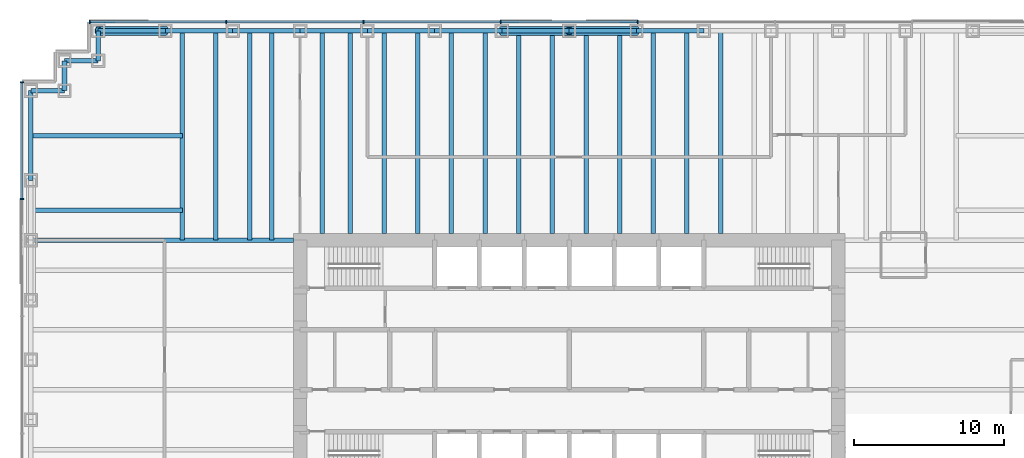
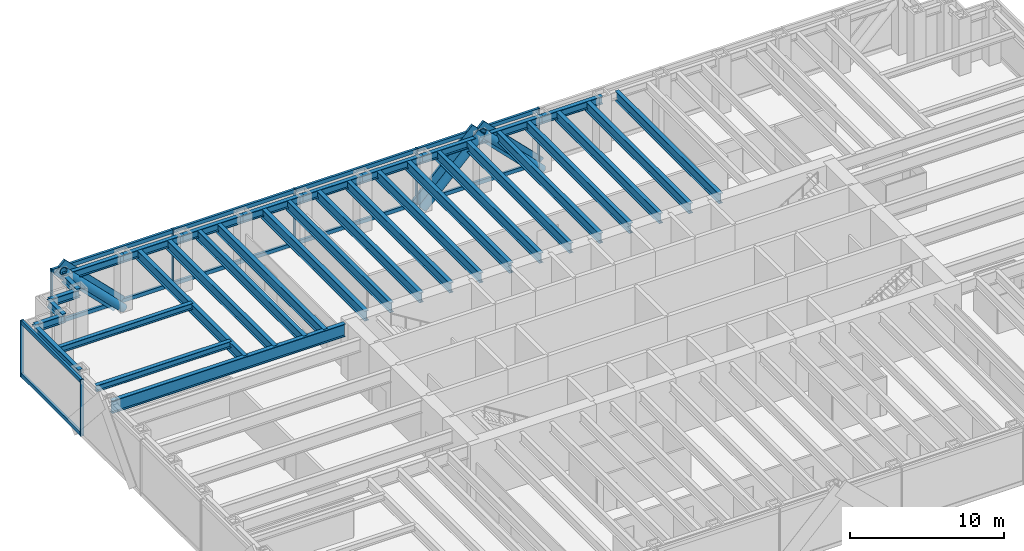
# One storey, part 5 of 13: 34 beams, 23 members, 2 elements without a shape of their own.
"""IFC4 building model written with IfcOpenShell, lengths in metres."""

from ifc_helpers import new_model, si_unit, direction, frame, origin, origin_2d, place, context, subcontext, project, spatial, rectangle, hollow_circle, i_section, extrude, material, material_profile, profile_set, type_object, element, aggregate, save


model = new_model("IFC4")

# Units and contexts
model_context = context("Model", 3, precision=1e-05, world=origin(), true_north=direction((0.0, 1.0)))
body_context = subcontext(model_context, "Body", "Model", "MODEL_VIEW")
ifc_project = project(units=[si_unit("LENGTHUNIT", "METRE"), si_unit("AREAUNIT", "SQUARE_METRE"), si_unit("VOLUMEUNIT", "CUBIC_METRE"), si_unit("PLANEANGLEUNIT", "RADIAN"), si_unit("MASSUNIT", "GRAM", prefix="KILO")], contexts=[model_context])

# Site, building, storey
site_placement = place(None, origin())
site = spatial("IfcSite", under=ifc_project, at=site_placement, CompositionType="ELEMENT")
building_placement = place(site_placement, origin())
building = spatial("IfcBuilding", under=site, at=building_placement, Name="Rheinbord Bourse Tower", CompositionType="ELEMENT")
storey_placement = place(building_placement, frame((0.0, 0.0, 27.5)))
storey = spatial("IfcBuildingStorey", under=building, at=storey_placement, Name="L05", CompositionType="ELEMENT", Elevation=27.5)

# Curtain wall, members
ifc_material_1 = material(Name="Dark glass and black aluminium", Category="aluminium")
curtain_wall_type = type_object("IfcCurtainWallType", Name="CW1 DARK GLASS CURTAIN WALL", PredefinedType="USERDEFINED", material=ifc_material_1)
curtain_wall_1_placement = place(storey_placement, origin())
curtain_wall_1 = element("IfcCurtainWall", 1, at=curtain_wall_1_placement, inside=storey, type_object=curtain_wall_type, Name="Curtain wall CW1 N L05", ObjectType="UNITISED CURTAIN WALL", PredefinedType="USERDEFINED")
ifc_material_2 = material(Name="Black anodised aluminium", Category="aluminium")
ifc_material_profile_1 = material_profile(ifc_material_2, rectangle(XDim=0.179931640625, YDim=1.2099609375, at=origin_2d()), Name="CW1 DIAGONAL MULLION 1210x180")
ifc_profile_set_1 = profile_set([ifc_material_profile_1], Name="Black anodised aluminium")
member_type_1 = type_object("IfcMemberType", Name="CW1 BLACK DIAGONAL MULLION", PredefinedType="USERDEFINED", material=ifc_profile_set_1)
member_1_placement = place(storey_placement, frame((31.5, 46.60009765625, 0.0), z_axis=(0.707106781187, 0.0, 0.707106781187), x_axis=(0.0, 1.0, 0.0)))
member_1 = element("IfcMember", 2, at=member_1_placement, type_object=member_type_1, Name="CW1 diagonal mullion a", ObjectType="DIAGONAL MULLION", PredefinedType="USERDEFINED", context=body_context, shape_type="SweptSolid", body=[
    extrude(rectangle(XDim=0.179931640625, YDim=1.2099609375, at=origin_2d()), origin(), (0.0, 0.0, 1.0), 6.364013671875),
])
member_2_placement = place(storey_placement, frame((40.5, 46.60009765625, 0.0), z_axis=(-0.707106781187, 0.0, 0.707106781187), x_axis=(0.0, -1.0, 0.0)))
member_2 = element("IfcMember", 3, at=member_2_placement, type_object=member_type_1, Name="CW1 diagonal mullion b", ObjectType="DIAGONAL MULLION", PredefinedType="USERDEFINED", context=body_context, shape_type="SweptSolid", body=[
    extrude(rectangle(XDim=0.179931640625, YDim=1.2099609375, at=origin_2d()), origin(), (0.0, 0.0, 1.0), 6.364013671875),
])
member_3_placement = place(storey_placement, frame((9.0, 46.60009765625, 0.0), z_axis=(-0.707106781187, 0.0, 0.707106781187), x_axis=(0.0, -1.0, 0.0)))
member_3 = element("IfcMember", 4, at=member_3_placement, type_object=member_type_1, Name="CW1 diagonal mullion d", ObjectType="DIAGONAL MULLION", PredefinedType="USERDEFINED", context=body_context, shape_type="SweptSolid", body=[
    extrude(rectangle(XDim=0.179931640625, YDim=1.2099609375, at=origin_2d()), origin(), (0.0, 0.0, 1.0), 6.364013671875),
])
ifc_material_3 = material(Name="Black anodised aluminium", Category="aluminium")
ifc_material_profile_2 = material_profile(ifc_material_3, rectangle(XDim=0.25, YDim=0.080078125, at=origin_2d()), Name="CW1 MULLION 80x250")
ifc_profile_set_2 = profile_set([ifc_material_profile_2], Name="Black anodised aluminium")
member_type_2 = type_object("IfcMemberType", Name="CW1 BLACK MULLION", PredefinedType="MULLION", material=ifc_profile_set_2)
member_4_placement = place(storey_placement, frame((40.585693359375, 46.60009765625, 0.0), z_axis=(0.0, 0.0, 1.0), x_axis=(0.0, -1.0, 0.0)))
member_4 = element("IfcMember", 5, at=member_4_placement, type_object=member_type_2, Name="CW1 mullion 4", PredefinedType="MULLION", context=body_context, shape_type="SweptSolid", body=[
    extrude(rectangle(XDim=0.25, YDim=0.080078125, at=origin_2d()), origin(), (0.0, 0.0, 1.0), 4.5),
])
member_5_placement = place(storey_placement, frame((31.414306640625, 46.60009765625, 0.0), z_axis=(0.0, 0.0, 1.0), x_axis=(0.0, -1.0, 0.0)))
member_5 = element("IfcMember", 6, at=member_5_placement, type_object=member_type_2, Name="CW1 mullion 5", PredefinedType="MULLION", context=body_context, shape_type="SweptSolid", body=[
    extrude(rectangle(XDim=0.25, YDim=0.080078125, at=origin_2d()), origin(), (0.0, 0.0, 1.0), 4.5),
])
member_6_placement = place(storey_placement, frame((22.242919921875, 46.60009765625, 0.0), z_axis=(0.0, 0.0, 1.0), x_axis=(0.0, -1.0, 0.0)))
member_6 = element("IfcMember", 7, at=member_6_placement, type_object=member_type_2, Name="CW1 mullion 6", PredefinedType="MULLION", context=body_context, shape_type="SweptSolid", body=[
    extrude(rectangle(XDim=0.25, YDim=0.080078125, at=origin_2d()), origin(), (0.0, 0.0, 1.0), 4.5),
])
member_7_placement = place(storey_placement, frame((13.071533203125, 46.60009765625, 0.0), z_axis=(0.0, 0.0, 1.0), x_axis=(0.0, -1.0, 0.0)))
member_7 = element("IfcMember", 8, at=member_7_placement, type_object=member_type_2, Name="CW1 mullion 7", PredefinedType="MULLION", context=body_context, shape_type="SweptSolid", body=[
    extrude(rectangle(XDim=0.25, YDim=0.080078125, at=origin_2d()), origin(), (0.0, 0.0, 1.0), 4.5),
])
member_8_placement = place(storey_placement, frame((3.93994140625, 46.60009765625, 0.0), z_axis=(0.0, 0.0, 1.0), x_axis=(0.0, -1.0, 0.0)))
member_8 = element("IfcMember", 9, at=member_8_placement, type_object=member_type_2, Name="CW1 mullion 8", PredefinedType="MULLION", context=body_context, shape_type="SweptSolid", body=[
    extrude(rectangle(XDim=0.25, YDim=0.080078125, at=origin_2d()), origin(), (0.0, 0.0, 1.0), 4.5),
])

curtain_wall_2_placement = place(storey_placement, origin())
curtain_wall_2 = element("IfcCurtainWall", 10, at=curtain_wall_2_placement, inside=storey, type_object=curtain_wall_type, Name="Curtain wall CW1 W L05", ObjectType="UNITISED CURTAIN WALL", PredefinedType="USERDEFINED")
member_9_placement = place(storey_placement, frame((-0.60009765625, 42.56005859375, 0.0), z_axis=(0.0, 0.0, 1.0), x_axis=(1.0, 0.0, 0.0)))
member_9 = element("IfcMember", 11, at=member_9_placement, type_object=member_type_2, Name="CW1 mullion 1", PredefinedType="MULLION", context=body_context, shape_type="SweptSolid", body=[
    extrude(rectangle(XDim=0.25, YDim=0.080078125, at=origin_2d()), origin(), (0.0, 0.0, 1.0), 4.5),
])
member_10_placement = place(storey_placement, frame((-0.60009765625, 34.760009765625, 0.0), z_axis=(0.0, 0.0, 1.0), x_axis=(1.0, 0.0, 0.0)))
member_10 = element("IfcMember", 12, at=member_10_placement, type_object=member_type_2, Name="CW1 mullion 2", PredefinedType="MULLION", context=body_context, shape_type="SweptSolid", body=[
    extrude(rectangle(XDim=0.25, YDim=0.080078125, at=origin_2d()), origin(), (0.0, 0.0, 1.0), 4.5),
])

# Member
ifc_material_4 = material(Name="Black anodised aluminium", Category="aluminium")
ifc_material_profile_3 = material_profile(ifc_material_4, rectangle(XDim=0.179931640625, YDim=0.300048828125, at=origin_2d()), Name="CW1 TRANSOM 300x180")
ifc_profile_set_3 = profile_set([ifc_material_profile_3], Name="Black anodised aluminium")
member_type_3 = type_object("IfcMemberType", Name="CW1 BLACK TRANSOM", PredefinedType="USERDEFINED", material=ifc_profile_set_3)
member_11_placement = place(storey_placement, frame((40.545654296875, 46.60009765625, 0.14990234375), z_axis=(-1.0, 0.0, 0.0), x_axis=(0.0, -1.0, 0.0)))
member_11 = element("IfcMember", 13, at=member_11_placement, type_object=member_type_3, Name="CW1 transom 4.1", ObjectType="TRANSOM", PredefinedType="USERDEFINED", context=body_context, shape_type="SweptSolid", body=[
    extrude(rectangle(XDim=0.179931640625, YDim=0.300048828125, at=origin_2d()), origin(), (0.0, 0.0, 1.0), 9.09130859375),
])

member_12_placement = place(storey_placement, frame((40.545654296875, 46.60009765625, 4.35009765625), z_axis=(-1.0, 0.0, 0.0), x_axis=(0.0, -1.0, 0.0)))
member_12 = element("IfcMember", 14, at=member_12_placement, type_object=member_type_3, Name="CW1 transom 4.2", ObjectType="TRANSOM", PredefinedType="USERDEFINED", context=body_context, shape_type="SweptSolid", body=[
    extrude(rectangle(XDim=0.179931640625, YDim=0.300048828125, at=origin_2d()), origin(), (0.0, 0.0, 1.0), 9.09130859375),
])

member_13_placement = place(storey_placement, frame((31.374267578125, 46.60009765625, 0.14990234375), z_axis=(-1.0, 0.0, 0.0), x_axis=(0.0, -1.0, 0.0)))
member_13 = element("IfcMember", 15, at=member_13_placement, type_object=member_type_3, Name="CW1 transom 5.1", ObjectType="TRANSOM", PredefinedType="USERDEFINED", context=body_context, shape_type="SweptSolid", body=[
    extrude(rectangle(XDim=0.179931640625, YDim=0.300048828125, at=origin_2d()), origin(), (0.0, 0.0, 1.0), 9.09130859375),
])

member_14_placement = place(storey_placement, frame((31.374267578125, 46.60009765625, 4.35009765625), z_axis=(-1.0, 0.0, 0.0), x_axis=(0.0, -1.0, 0.0)))
member_14 = element("IfcMember", 16, at=member_14_placement, type_object=member_type_3, Name="CW1 transom 5.2", ObjectType="TRANSOM", PredefinedType="USERDEFINED", context=body_context, shape_type="SweptSolid", body=[
    extrude(rectangle(XDim=0.179931640625, YDim=0.300048828125, at=origin_2d()), origin(), (0.0, 0.0, 1.0), 9.09130859375),
])

member_15_placement = place(storey_placement, frame((22.202880859375, 46.60009765625, 0.14990234375), z_axis=(-1.0, 0.0, 0.0), x_axis=(0.0, -1.0, 0.0)))
member_15 = element("IfcMember", 17, at=member_15_placement, type_object=member_type_3, Name="CW1 transom 6.1", ObjectType="TRANSOM", PredefinedType="USERDEFINED", context=body_context, shape_type="SweptSolid", body=[
    extrude(rectangle(XDim=0.179931640625, YDim=0.300048828125, at=origin_2d()), origin(), (0.0, 0.0, 1.0), 9.091552734375),
])

member_16_placement = place(storey_placement, frame((22.202880859375, 46.60009765625, 4.35009765625), z_axis=(-1.0, 0.0, 0.0), x_axis=(0.0, -1.0, 0.0)))
member_16 = element("IfcMember", 18, at=member_16_placement, type_object=member_type_3, Name="CW1 transom 6.2", ObjectType="TRANSOM", PredefinedType="USERDEFINED", context=body_context, shape_type="SweptSolid", body=[
    extrude(rectangle(XDim=0.179931640625, YDim=0.300048828125, at=origin_2d()), origin(), (0.0, 0.0, 1.0), 9.091552734375),
])

member_17_placement = place(storey_placement, frame((13.031494140625, 46.60009765625, 0.14990234375), z_axis=(-1.0, 0.0, 0.0), x_axis=(0.0, -1.0, 0.0)))
member_17 = element("IfcMember", 19, at=member_17_placement, type_object=member_type_3, Name="CW1 transom 7.1", ObjectType="TRANSOM", PredefinedType="USERDEFINED", context=body_context, shape_type="SweptSolid", body=[
    extrude(rectangle(XDim=0.179931640625, YDim=0.300048828125, at=origin_2d()), origin(), (0.0, 0.0, 1.0), 9.051513671875),
])

member_18_placement = place(storey_placement, frame((13.031494140625, 46.60009765625, 4.35009765625), z_axis=(-1.0, 0.0, 0.0), x_axis=(0.0, -1.0, 0.0)))
member_18 = element("IfcMember", 20, at=member_18_placement, type_object=member_type_3, Name="CW1 transom 7.2", ObjectType="TRANSOM", PredefinedType="USERDEFINED", context=body_context, shape_type="SweptSolid", body=[
    extrude(rectangle(XDim=0.179931640625, YDim=0.300048828125, at=origin_2d()), origin(), (0.0, 0.0, 1.0), 9.051513671875),
])

aggregate(curtain_wall_1, [member_4, member_5, member_6, member_7, member_8, member_11, member_12, member_13, member_14, member_15, member_16, member_17, member_18, member_1, member_2, member_3])

member_19_placement = place(storey_placement, frame((-0.60009765625, 42.52001953125, 0.14990234375), z_axis=(0.0, -1.0, 0.0), x_axis=(1.0, 0.0, 0.0)))
member_19 = element("IfcMember", 21, at=member_19_placement, type_object=member_type_3, Name="CW1 transom 1.1", ObjectType="TRANSOM", PredefinedType="USERDEFINED", context=body_context, shape_type="SweptSolid", body=[
    extrude(rectangle(XDim=0.179931640625, YDim=0.300048828125, at=origin_2d()), origin(), (0.0, 0.0, 1.0), 7.719970703125),
])

member_20_placement = place(storey_placement, frame((-0.60009765625, 42.52001953125, 4.35009765625), z_axis=(0.0, -1.0, 0.0), x_axis=(1.0, 0.0, 0.0)))
member_20 = element("IfcMember", 22, at=member_20_placement, type_object=member_type_3, Name="CW1 transom 1.2", ObjectType="TRANSOM", PredefinedType="USERDEFINED", context=body_context, shape_type="SweptSolid", body=[
    extrude(rectangle(XDim=0.179931640625, YDim=0.300048828125, at=origin_2d()), origin(), (0.0, 0.0, 1.0), 7.719970703125),
])

aggregate(curtain_wall_2, [member_9, member_10, member_19, member_20])

# Beams
ifc_material_5 = material(Name="Steel S460", Category="steel")
ifc_material_profile_4 = material_profile(ifc_material_5, i_section(OverallWidth=0.300048828125, OverallDepth=0.800048828125, WebThickness=0.017578125, FlangeThickness=0.032958984375, at=origin_2d()), Name="HEB 800")
ifc_profile_set_4 = profile_set([ifc_material_profile_4], Name="Steel S460")
beam_type_1 = type_object("IfcBeamType", Name="FLOOR BEAM HEB 800", PredefinedType="BEAM", material=ifc_profile_set_4)
for number, where, z_axis, x_axis, name in (
    (23, (10.125, 46.0, 3.919921875), (0.0, -1.0, 0.0), (1.0, 0.0, 0.0), "Floor beam N-9a L06"),
    (24, (12.375, 46.0, 3.919921875), (0.0, -1.0, 0.0), (1.0, 0.0, 0.0), "Floor beam N-9b L06"),
    (25, (14.625, 46.0, 3.919921875), (0.0, -1.0, 0.0), (1.0, 0.0, 0.0), "Floor beam N-13.5a L06"),
    (26, (16.125, 46.0, 3.919921875), (0.0, -1.0, 0.0), (1.0, 0.0, 0.0), "Floor beam N-13.5b L06"),
):
    element("IfcBeam", number, at=place(storey_placement, frame(where, z_axis=z_axis, x_axis=x_axis)), inside=storey, type_object=beam_type_1, Name=name, PredefinedType="BEAM", context=body_context, shape_type="SweptSolid", body=[
        extrude(i_section(OverallWidth=0.300048828125, OverallDepth=0.800048828125, WebThickness=0.017578125, FlangeThickness=0.032958984375, at=origin_2d()), origin(), (0.0, 0.0, 1.0), 14.0),
    ])
for number, where, z_axis, x_axis, name in (
    (27, (19.5, 46.0, 3.919921875), (0.0, -1.0, 0.0), (1.0, 0.0, 0.0), "Floor beam N-18a L06"),
    (28, (21.375, 46.0, 3.919921875), (0.0, -1.0, 0.0), (1.0, 0.0, 0.0), "Floor beam N-18b L06"),
    (29, (23.625, 46.0, 3.919921875), (0.0, -1.0, 0.0), (1.0, 0.0, 0.0), "Floor beam N-22.5a L06"),
    (30, (25.875, 46.0, 3.919921875), (0.0, -1.0, 0.0), (1.0, 0.0, 0.0), "Floor beam N-22.5b L06"),
    (31, (28.125, 46.0, 3.919921875), (0.0, -1.0, 0.0), (1.0, 0.0, 0.0), "Floor beam N-27a L06"),
    (32, (30.375, 46.0, 3.919921875), (0.0, -1.0, 0.0), (1.0, 0.0, 0.0), "Floor beam N-27b L06"),
    (33, (32.625, 46.0, 3.919921875), (0.0, -1.0, 0.0), (1.0, 0.0, 0.0), "Floor beam N-31.5a L06"),
    (34, (34.875, 46.0, 3.919921875), (0.0, -1.0, 0.0), (1.0, 0.0, 0.0), "Floor beam N-31.5b L06"),
    (35, (37.125, 46.0, 3.919921875), (0.0, -1.0, 0.0), (1.0, 0.0, 0.0), "Floor beam N-36a L06"),
    (36, (39.375, 46.0, 3.919921875), (0.0, -1.0, 0.0), (1.0, 0.0, 0.0), "Floor beam N-36b L06"),
    (37, (41.625, 46.0, 3.919921875), (0.0, -1.0, 0.0), (1.0, 0.0, 0.0), "Floor beam N-40.5a L06"),
    (38, (43.875, 46.0, 3.919921875), (0.0, -1.0, 0.0), (1.0, 0.0, 0.0), "Floor beam N-40.5b L06"),
    (39, (46.125, 46.0, 3.919921875), (0.0, -1.0, 0.0), (1.0, 0.0, 0.0), "Floor beam N-45a L06"),
):
    element("IfcBeam", number, at=place(storey_placement, frame(where, z_axis=z_axis, x_axis=x_axis)), inside=storey, type_object=beam_type_1, Name=name, PredefinedType="BEAM", context=body_context, shape_type="SweptSolid", body=[
        extrude(i_section(OverallWidth=0.300048828125, OverallDepth=0.800048828125, WebThickness=0.017578125, FlangeThickness=0.032958984375, at=origin_2d()), origin(), (0.0, 0.0, 1.0), 13.550048828125),
    ])
ifc_material_6 = material(Name="Steel S460", Category="steel")
ifc_material_profile_5 = material_profile(ifc_material_6, i_section(OverallWidth=0.302001953125, OverallDepth=1.008056640625, WebThickness=0.02099609375, FlangeThickness=0.0400390625, at=origin_2d()), Name="HEM 1000")
ifc_profile_set_5 = profile_set([ifc_material_profile_5], Name="Steel S460")
beam_type_2 = type_object("IfcBeamType", Name="GIRDER HEM 1000", PredefinedType="BEAM", material=ifc_profile_set_5)
beam_1_placement = place(storey_placement, frame((0.0, 32.0, 3.81591796875), z_axis=(1.0, 0.0, 0.0), x_axis=(0.0, 1.0, 0.0)))
element("IfcBeam", 40, at=beam_1_placement, inside=storey, type_object=beam_type_2, Name="Girder west 32 L06", PredefinedType="BEAM", context=body_context, shape_type="SweptSolid", body=[
    extrude(i_section(OverallWidth=0.302001953125, OverallDepth=1.008056640625, WebThickness=0.02099609375, FlangeThickness=0.0400390625, at=origin_2d()), origin(), (0.0, 0.0, 1.0), 17.550048828125),
])

# Members
ifc_material_7 = material(Name="Steel S460", Category="steel")
ifc_material_profile_6 = material_profile(ifc_material_7, hollow_circle(Radius=0.304931640625, WallThickness=0.050048828125, at=origin_2d()), Name="CHS 610x50")
ifc_profile_set_6 = profile_set([ifc_material_profile_6], Name="Steel S460")
member_type_4 = type_object("IfcMemberType", Name="MEGABRACE CHS 610x50", PredefinedType="BRACE", material=ifc_profile_set_6)
for number, where, z_axis, x_axis, name in (
    (41, (31.5, 46.0, 0.0), (0.707106781187, 0.0, 0.707106781187), (0.0, 1.0, 0.0), "Megabrace N face line a L05"),
    (42, (40.5, 46.0, 0.0), (-0.707106781187, 0.0, 0.707106781187), (0.0, -1.0, 0.0), "Megabrace N face line b L05"),
    (43, (9.0, 46.0, 0.0), (-0.707106781187, 0.0, 0.707106781187), (0.0, -1.0, 0.0), "Megabrace N face line d L05"),
):
    element("IfcMember", number, at=place(storey_placement, frame(where, z_axis=z_axis, x_axis=x_axis)), inside=storey, type_object=member_type_4, Name=name, PredefinedType="BRACE", context=body_context, shape_type="SweptSolid", body=[
        extrude(hollow_circle(Radius=0.304931640625, WallThickness=0.050048828125, at=origin_2d()), origin(), (0.0, 0.0, 1.0), 6.364013671875),
    ])

# Beams
ifc_material_8 = material(Name="Steel S460", Category="steel")
ifc_material_profile_7 = material_profile(ifc_material_8, i_section(OverallWidth=0.304931640625, OverallDepth=0.6201171875, WebThickness=0.02099609375, FlangeThickness=0.0400390625, at=origin_2d()), Name="HEM 600")
ifc_profile_set_7 = profile_set([ifc_material_profile_7], Name="Steel S460")
beam_type_3 = type_object("IfcBeamType", Name="SPANDREL HEM 600", PredefinedType="SPANDREL", material=ifc_profile_set_7)
for number, where, z_axis, x_axis, name in (
    (44, (45.0, 46.0, 4.010009765625), (-1.0, 0.0, 0.0), (0.0, -1.0, 0.0), "Spandrel N-45-N-40.5 under L06"),
    (45, (40.5, 46.0, 4.010009765625), (-1.0, 0.0, 0.0), (0.0, -1.0, 0.0), "Spandrel N-40.5-N-36 under L06"),
    (46, (36.0, 46.0, 4.010009765625), (-1.0, 0.0, 0.0), (0.0, -1.0, 0.0), "Spandrel N-36-N-31.5 under L06"),
    (47, (31.5, 46.0, 4.010009765625), (-1.0, 0.0, 0.0), (0.0, -1.0, 0.0), "Spandrel N-31.5-N-27 under L06"),
    (48, (27.0, 46.0, 4.010009765625), (-1.0, 0.0, 0.0), (0.0, -1.0, 0.0), "Spandrel N-27-N-22.5 under L06"),
    (49, (22.5, 46.0, 4.010009765625), (-1.0, 0.0, 0.0), (0.0, -1.0, 0.0), "Spandrel N-22.5-N-18 under L06"),
    (50, (18.0, 46.0, 4.010009765625), (-1.0, 0.0, 0.0), (0.0, -1.0, 0.0), "Spandrel N-18-N-13.5 under L06"),
    (51, (13.5, 46.0, 4.010009765625), (-1.0, 0.0, 0.0), (0.0, -1.0, 0.0), "Spandrel N-13.5-N-9 under L06"),
    (52, (9.0, 46.0, 4.010009765625), (-1.0, 0.0, 0.0), (0.0, -1.0, 0.0), "Spandrel N-9-NW-E under L06"),
):
    element("IfcBeam", number, at=place(storey_placement, frame(where, z_axis=z_axis, x_axis=x_axis)), inside=storey, type_object=beam_type_3, Name=name, PredefinedType="SPANDREL", context=body_context, shape_type="SweptSolid", body=[
        extrude(i_section(OverallWidth=0.304931640625, OverallDepth=0.6201171875, WebThickness=0.02099609375, FlangeThickness=0.0400390625, at=origin_2d()), origin(), (0.0, 0.0, 1.0), 4.5),
    ])
beam_2_placement = place(storey_placement, frame((4.5, 46.0, 4.010009765625), z_axis=(0.0, -1.0, 0.0), x_axis=(1.0, 0.0, 0.0)))
element("IfcBeam", 53, at=beam_2_placement, inside=storey, type_object=beam_type_3, Name="Spandrel NW-E-NW-D under L06", PredefinedType="SPANDREL", context=body_context, shape_type="SweptSolid", body=[
    extrude(i_section(OverallWidth=0.304931640625, OverallDepth=0.6201171875, WebThickness=0.02099609375, FlangeThickness=0.0400390625, at=origin_2d()), origin(), (0.0, 0.0, 1.0), 2.0),
])
beam_3_placement = place(storey_placement, frame((4.5, 44.0, 4.010009765625), z_axis=(-1.0, 0.0, 0.0), x_axis=(0.0, -1.0, 0.0)))
element("IfcBeam", 54, at=beam_3_placement, inside=storey, type_object=beam_type_3, Name="Spandrel NW-D-NW-C under L06", PredefinedType="SPANDREL", context=body_context, shape_type="SweptSolid", body=[
    extrude(i_section(OverallWidth=0.304931640625, OverallDepth=0.6201171875, WebThickness=0.02099609375, FlangeThickness=0.0400390625, at=origin_2d()), origin(), (0.0, 0.0, 1.0), 2.25),
])
beam_4_placement = place(storey_placement, frame((2.25, 44.0, 4.010009765625), z_axis=(0.0, -1.0, 0.0), x_axis=(1.0, 0.0, 0.0)))
element("IfcBeam", 55, at=beam_4_placement, inside=storey, type_object=beam_type_3, Name="Spandrel NW-C-NW-B under L06", PredefinedType="SPANDREL", context=body_context, shape_type="SweptSolid", body=[
    extrude(i_section(OverallWidth=0.304931640625, OverallDepth=0.6201171875, WebThickness=0.02099609375, FlangeThickness=0.0400390625, at=origin_2d()), origin(), (0.0, 0.0, 1.0), 2.0),
])
beam_5_placement = place(storey_placement, frame((2.25, 42.0, 4.010009765625), z_axis=(-1.0, 0.0, 0.0), x_axis=(0.0, -1.0, 0.0)))
element("IfcBeam", 56, at=beam_5_placement, inside=storey, type_object=beam_type_3, Name="Spandrel NW-B-NW-A under L06", PredefinedType="SPANDREL", context=body_context, shape_type="SweptSolid", body=[
    extrude(i_section(OverallWidth=0.304931640625, OverallDepth=0.6201171875, WebThickness=0.02099609375, FlangeThickness=0.0400390625, at=origin_2d()), origin(), (0.0, 0.0, 1.0), 2.25),
])
beam_6_placement = place(storey_placement, frame((0.0, 42.0, 4.010009765625), z_axis=(0.0, -1.0, 0.0), x_axis=(1.0, 0.0, 0.0)))
element("IfcBeam", 57, at=beam_6_placement, inside=storey, type_object=beam_type_3, Name="Spandrel NW-A-W-36 under L06", PredefinedType="SPANDREL", context=body_context, shape_type="SweptSolid", body=[
    extrude(i_section(OverallWidth=0.304931640625, OverallDepth=0.6201171875, WebThickness=0.02099609375, FlangeThickness=0.0400390625, at=origin_2d()), origin(), (0.0, 0.0, 1.0), 6.0),
])
ifc_material_9 = material(Name="Steel S460", Category="steel")
ifc_material_profile_8 = material_profile(ifc_material_9, i_section(OverallWidth=0.300048828125, OverallDepth=0.5, WebThickness=0.014404296875, FlangeThickness=0.028076171875, at=origin_2d()), Name="HEB 500")
ifc_profile_set_8 = profile_set([ifc_material_profile_8], Name="Steel S460")
beam_type_4 = type_object("IfcBeamType", Name="TIE BEAM HEB 500", PredefinedType="JOIST", material=ifc_profile_set_8)
for number, where, z_axis, x_axis, name in (
    (58, (0.0, 34.0, 4.070068359375), (1.0, 0.0, 0.0), (0.0, 1.0, 0.0), "Tie west 34 L06"),
    (59, (0.0, 39.0, 4.070068359375), (1.0, 0.0, 0.0), (0.0, 1.0, 0.0), "Tie west 39 L06"),
):
    element("IfcBeam", number, at=place(storey_placement, frame(where, z_axis=z_axis, x_axis=x_axis)), inside=storey, type_object=beam_type_4, Name=name, PredefinedType="JOIST", context=body_context, shape_type="SweptSolid", body=[
        extrude(i_section(OverallWidth=0.300048828125, OverallDepth=0.5, WebThickness=0.014404296875, FlangeThickness=0.028076171875, at=origin_2d()), origin(), (0.0, 0.0, 1.0), 10.125),
    ])

save(model, "model.ifc")
